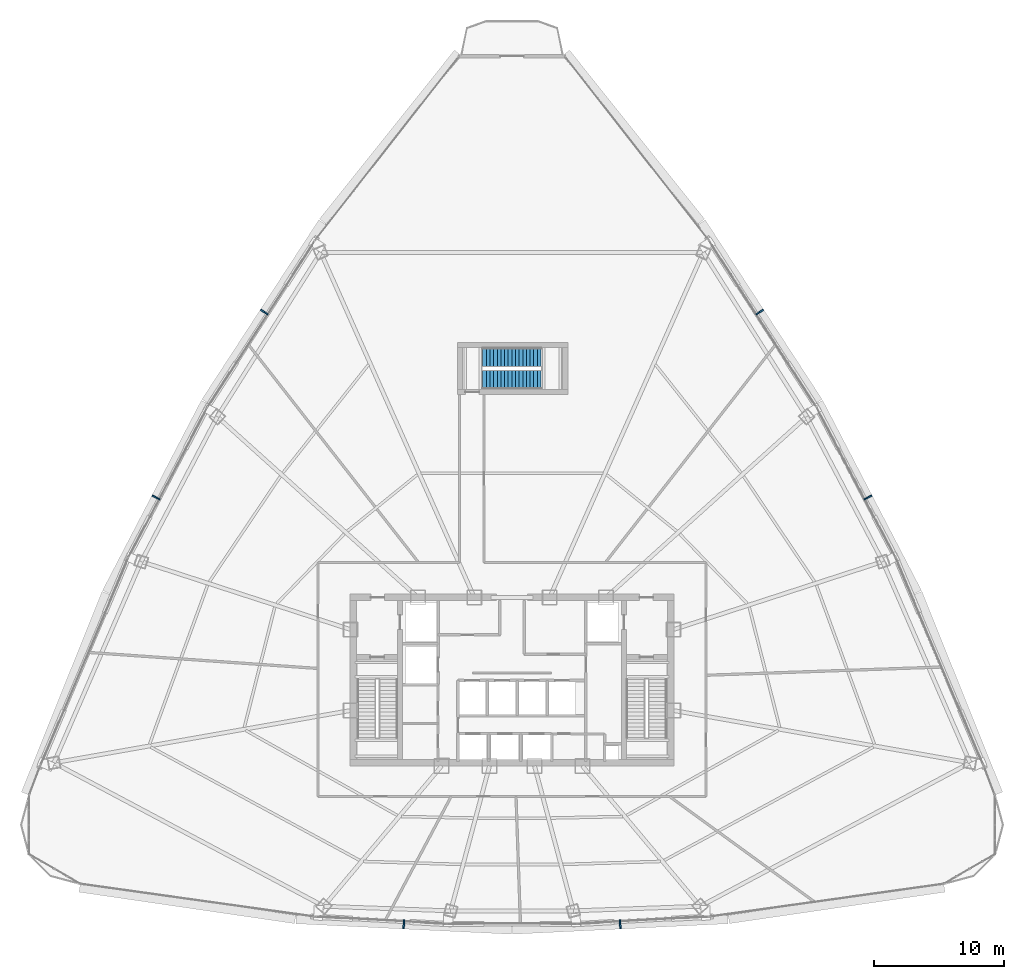
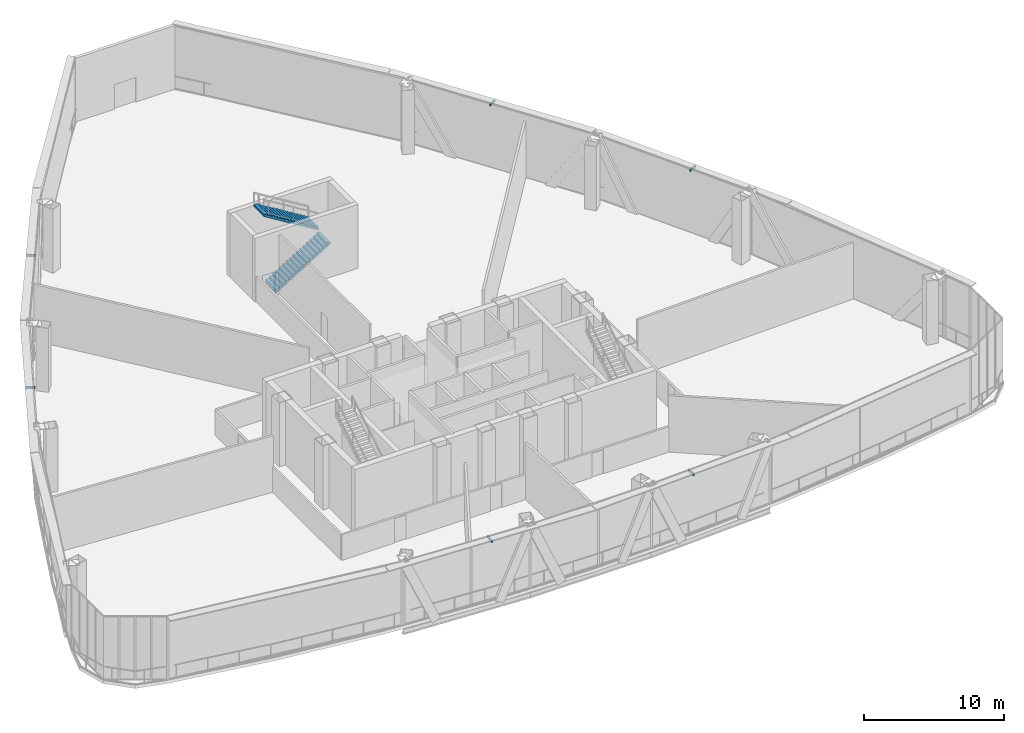
# One storey, part 32 of 38: 6 discrete accessories, 2 stair flights, 1 element without a shape of its own.
"""IFC4 building model written with IfcOpenShell, lengths in metres."""

from ifc_helpers import new_model, si_unit, direction, frame, origin, origin_2d, place, context, subcontext, project, spatial, polyline, rectangle, outline, extrude, source, transform, mapped, material, type_object, element, aggregate, save


model = new_model("IFC4")

# Units and contexts
model_context = context("Model", 3, precision=1e-05, world=origin(), true_north=direction((0.0, 1.0)))
body_context = subcontext(model_context, "Body", "Model", "MODEL_VIEW")
ifc_project = project(units=[si_unit("LENGTHUNIT", "METRE"), si_unit("AREAUNIT", "SQUARE_METRE"), si_unit("VOLUMEUNIT", "CUBIC_METRE"), si_unit("PLANEANGLEUNIT", "RADIAN"), si_unit("MASSUNIT", "GRAM", prefix="KILO"), si_unit("THERMODYNAMICTEMPERATUREUNIT", "KELVIN"), si_unit("POWERUNIT", "WATT")], contexts=[model_context])

# Site, building, storey
site_placement = place(None, origin())
site = spatial("IfcSite", under=ifc_project, at=site_placement, CompositionType="ELEMENT")
building_placement = place(site_placement, origin())
building = spatial("IfcBuilding", under=site, at=building_placement, Name="Yunzhuo Pagoda Commons", CompositionType="ELEMENT")
storey_placement = place(building_placement, frame((0.0, 0.0, 218.9599609375)))
storey = spatial("IfcBuildingStorey", under=building, at=storey_placement, Name="L55", CompositionType="ELEMENT", Elevation=218.9599609375)

# Stair, stair flights
ifc_material_1 = material(Name="Concrete C40", Category="concrete")
stair_type = type_object("IfcStairType", Name="ST-C3 North Tower Smokeproof Stair ST3", PredefinedType="HALF_TURN_STAIR", material=ifc_material_1)
stair_placement = place(storey_placement, origin())
stair = element("IfcStair", 1, at=stair_placement, inside=storey, type_object=stair_type, Name="L55 North tower smokeproof stair ST3", PredefinedType="HALF_TURN_STAIR")
stair_flight_type = type_object("IfcStairFlightType", Name="STF-C3 North Stair Flight 1500", PredefinedType="STRAIGHT", material=ifc_material_1)
shared_shape_1 = source(origin(), body_context, "Body", "SweptSolid", [
    extrude(outline(polyline([(0.0, -0.14990234375), (0.0, 0.0), (0.0, 0.172119140625), (0.280029296875, 0.172119140625), (0.280029296875, 0.34423828125), (0.56005859375, 0.34423828125), (0.56005859375, 0.51611328125), (0.840087890625, 0.51611328125), (0.840087890625, 0.688232421875), (1.1201171875, 0.688232421875), (1.1201171875, 0.8603515625), (1.39990234375, 0.8603515625), (1.39990234375, 1.032470703125), (1.679931640625, 1.032470703125), (1.679931640625, 1.204345703125), (1.9599609375, 1.204345703125), (1.9599609375, 1.37646484375), (2.239990234375, 1.37646484375), (2.239990234375, 1.548583984375), (2.52001953125, 1.548583984375), (2.52001953125, 1.720703125), (2.800048828125, 1.720703125), (2.800048828125, 1.892578125), (3.080078125, 1.892578125), (3.080078125, 2.064697265625), (3.360107421875, 2.064697265625), (3.360107421875, 2.23681640625), (3.639892578125, 2.23681640625), (3.639892578125, 2.408935546875), (3.919921875, 2.408935546875), (3.919921875, 2.580810546875), (4.199951171875, 2.580810546875), (4.199951171875, 2.7529296875), (4.47998046875, 2.7529296875), (4.47998046875, 2.925048828125), (4.47998046875, 2.576904296875), (0.286376953125, 0.0), (0.050048828125, -0.14990234375), (0.0, -0.14990234375)])), frame((0.0, 0.75, 0.0), z_axis=(0.0, -1.0, 0.0), x_axis=(1.0, 0.0, 0.0)), (0.0, 0.0, 1.0), 1.5),
])
stair_flight_1_placement = place(storey_placement, frame((45.75, 56.949951171875, 0.0), z_axis=(0.0, 0.0, 1.0), x_axis=(1.0, 0.0, 0.0)))
stair_flight_1 = element("IfcStairFlight", 2, at=stair_flight_1_placement, type_object=stair_flight_type, Name="ST3 flight 1", NumberOfRisers=17, NumberOfTreads=16, PredefinedType="STRAIGHT", RiserHeight=0.172058824, TreadLength=0.28, context=body_context, shape_type="MappedRepresentation", body=[
    mapped(shared_shape_1, transform((0.0, 0.0, 0.0), scale=1.0)),
])
stair_flight_2_placement = place(storey_placement, frame((50.22998046875, 58.64990234375, 2.925048828125), z_axis=(0.0, 0.0, 1.0), x_axis=(-1.0, 0.0, 0.0)))
stair_flight_2 = element("IfcStairFlight", 3, at=stair_flight_2_placement, type_object=stair_flight_type, Name="ST3 flight 2", NumberOfRisers=17, NumberOfTreads=16, PredefinedType="STRAIGHT", RiserHeight=0.172058824, TreadLength=0.28, context=body_context, shape_type="MappedRepresentation", body=[
    mapped(shared_shape_1, transform((0.0, 0.0, 0.0), scale=1.0)),
])
aggregate(stair, [stair_flight_1, stair_flight_2])

# Discrete accessories
ifc_material_2 = material(Name="Anodized aluminium 6063-T6", Category="aluminium")
discrete_accessory_type = type_object("IfcDiscreteAccessoryType", Name="BK-SUN1 Sunshade Outrigger Bracket", PredefinedType="BRACKET", material=ifc_material_2)
shared_shape_2 = source(origin(), body_context, "Body", "SweptSolid", [
    extrude(rectangle(XDim=0.1201171875, YDim=0.679931640625, at=origin_2d()), origin(), (0.0, 0.0, 1.0), 0.179931640625),
])
for number, where, z_axis, x_axis, name in (
    (4, (39.68505859375, 15.083984375, 5.35986328125), (0.0, 0.0, 1.0), (0.998818043775, -0.04860571396, 0.0), "L55 sunshade outrigger bracket F1.2"),
    (5, (56.31494140625, 15.083984375, 5.35986328125), (0.0, 0.0, 1.0), (0.998818043775, 0.04860571396, 0.0), "L55 sunshade outrigger bracket F1.3"),
    (6, (75.3515625, 47.88330078125, 5.35986328125), (0.0, 0.0, 1.0), (-0.461206683033, 0.88729273384, 0.0), "L55 sunshade outrigger bracket F2.2"),
    (7, (67.03662109375, 62.1279296875, 5.35986328125), (0.0, 0.0, 1.0), (-0.545838756973, 0.837890238269, 0.0), "L55 sunshade outrigger bracket F2.3"),
    (8, (28.96337890625, 62.1279296875, 5.35986328125), (0.0, 0.0, 1.0), (-0.545838756973, -0.837890238269, 0.0), "L55 sunshade outrigger bracket F3.2"),
    (9, (20.6484375, 47.88330078125, 5.35986328125), (0.0, 0.0, 1.0), (-0.461206683033, -0.88729273384, 0.0), "L55 sunshade outrigger bracket F3.3"),
):
    element("IfcDiscreteAccessory", number, at=place(storey_placement, frame(where, z_axis=z_axis, x_axis=x_axis)), inside=storey, type_object=discrete_accessory_type, Name=name, PredefinedType="BRACKET", context=body_context, shape_type="MappedRepresentation", body=[
        mapped(shared_shape_2, transform((0.0, 0.0, 0.0), scale=1.0)),
    ])

save(model, "model.ifc")
